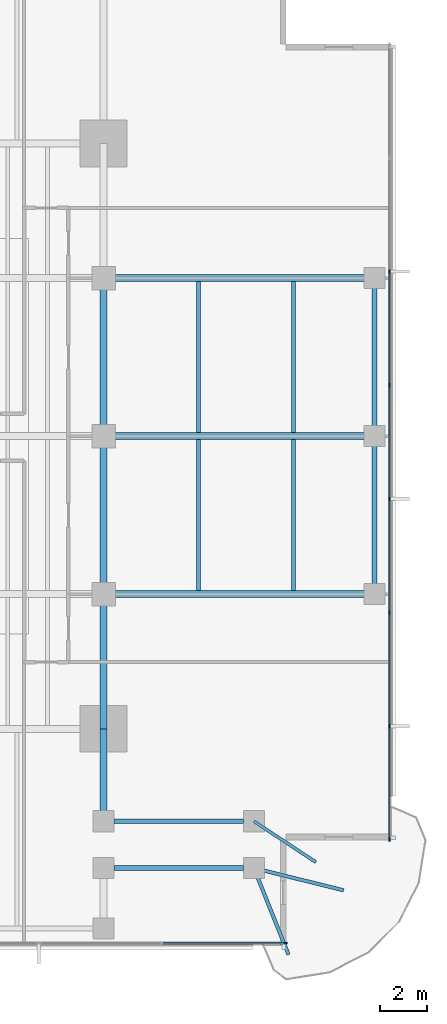
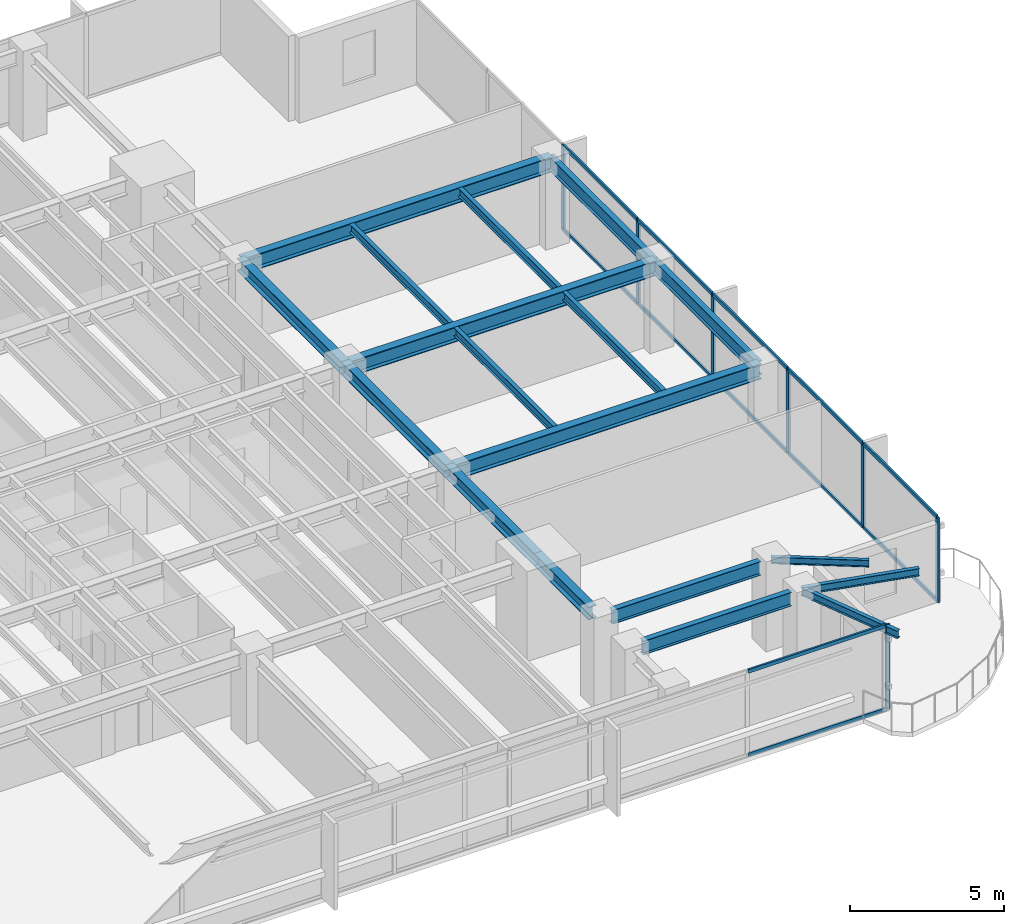
# One storey, part 4 of 14: 19 members, 18 beams, 2 elements without a shape of their own.
"""IFC4 building model written with IfcOpenShell, lengths in metres."""

from ifc_helpers import new_model, si_unit, direction, frame, origin, origin_2d, place, context, subcontext, project, spatial, rectangle, i_section, extrude, material, layer, layer_set, material_profile, profile_set, type_object, element, aggregate, save


model = new_model("IFC4")

# Units and contexts
model_context = context("Model", 3, precision=1e-05, world=origin(), true_north=direction((0.0, 1.0)))
body_context = subcontext(model_context, "Body", "Model", "MODEL_VIEW")
ifc_project = project(units=[si_unit("LENGTHUNIT", "METRE"), si_unit("AREAUNIT", "SQUARE_METRE"), si_unit("VOLUMEUNIT", "CUBIC_METRE"), si_unit("PLANEANGLEUNIT", "RADIAN"), si_unit("MASSUNIT", "GRAM", prefix="KILO")], contexts=[model_context])

# Site, building, storey
site_placement = place(None, origin())
site = spatial("IfcSite", under=ifc_project, at=site_placement, CompositionType="ELEMENT")
building_placement = place(site_placement, origin())
building = spatial("IfcBuilding", under=site, at=building_placement, Name="Kinhvarn Gate Tower", CompositionType="ELEMENT")
storey_placement = place(building_placement, frame((0.0, 0.0, 102.25)))
storey = spatial("IfcBuildingStorey", under=building, at=storey_placement, Name="L26", CompositionType="ELEMENT", Elevation=102.25)

# Curtain wall, member
ifc_material_1 = material(Name="Anodised aluminium AW-6063", Category="aluminium")
ifc_layer = layer(ifc_material_1, 0.179931640625)
ifc_layer_set = layer_set([ifc_layer], Name="Anodised aluminium AW-6063")
curtain_wall_type = type_object("IfcCurtainWallType", Name="CW-SYS-3", PredefinedType="NOTDEFINED", material=ifc_layer_set)
curtain_wall_1_placement = place(storey_placement, origin())
curtain_wall_1 = element("IfcCurtainWall", 1, at=curtain_wall_1_placement, inside=storey, type_object=curtain_wall_type, Name="Curtain Wall CW3 (L26)", PredefinedType="NOTDEFINED")
ifc_material_profile_1 = material_profile(ifc_material_1, rectangle(XDim=0.06494140625, YDim=0.159912109375, at=origin_2d()), Name="ALU 65x160")
ifc_profile_set_1 = profile_set([ifc_material_profile_1], Name="Anodised aluminium AW-6063")
member_type_1 = type_object("IfcMemberType", Name="CW-MUL-160", PredefinedType="MULLION", material=ifc_profile_set_1)
member_1_placement = place(storey_placement, frame((45.967529296875, 3.590087890625, 0.0), z_axis=(0.0, 0.0, 1.0), x_axis=(0.0, 1.0, 0.0)))
member_1 = element("IfcMember", 2, at=member_1_placement, type_object=member_type_1, Name="CW3 mullion 8", PredefinedType="MULLION", context=body_context, shape_type="SweptSolid", body=[
    extrude(rectangle(XDim=0.06494140625, YDim=0.159912109375, at=origin_2d()), origin(), (0.0, 0.0, 1.0), 3.3701171875),
])

# Curtain wall, members
curtain_wall_2_placement = place(storey_placement, origin())
curtain_wall_2 = element("IfcCurtainWall", 3, at=curtain_wall_2_placement, inside=storey, type_object=curtain_wall_type, Name="Curtain Wall CW3 (L26)", PredefinedType="NOTDEFINED")
member_2_placement = place(storey_placement, frame((50.409912109375, 8.032470703125, 0.0), z_axis=(0.0, 0.0, 1.0), x_axis=(-1.0, 0.0, 0.0)))
member_2 = element("IfcMember", 4, at=member_2_placement, type_object=member_type_1, Name="CW3 mullion 1", PredefinedType="MULLION", context=body_context, shape_type="SweptSolid", body=[
    extrude(rectangle(XDim=0.06494140625, YDim=0.159912109375, at=origin_2d()), origin(), (0.0, 0.0, 1.0), 3.3701171875),
])
member_3_placement = place(storey_placement, frame((50.409912109375, 12.857177734375, 0.0), z_axis=(0.0, 0.0, 1.0), x_axis=(-1.0, 0.0, 0.0)))
member_3 = element("IfcMember", 5, at=member_3_placement, type_object=member_type_1, Name="CW3 mullion 2", PredefinedType="MULLION", context=body_context, shape_type="SweptSolid", body=[
    extrude(rectangle(XDim=0.06494140625, YDim=0.159912109375, at=origin_2d()), origin(), (0.0, 0.0, 1.0), 3.3701171875),
])
member_4_placement = place(storey_placement, frame((50.409912109375, 17.71435546875, 0.0), z_axis=(0.0, 0.0, 1.0), x_axis=(-1.0, 0.0, 0.0)))
member_4 = element("IfcMember", 6, at=member_4_placement, type_object=member_type_1, Name="CW3 mullion 3", PredefinedType="MULLION", context=body_context, shape_type="SweptSolid", body=[
    extrude(rectangle(XDim=0.06494140625, YDim=0.159912109375, at=origin_2d()), origin(), (0.0, 0.0, 1.0), 3.3701171875),
])
member_5_placement = place(storey_placement, frame((50.409912109375, 22.571533203125, 0.0), z_axis=(0.0, 0.0, 1.0), x_axis=(-1.0, 0.0, 0.0)))
member_5 = element("IfcMember", 7, at=member_5_placement, type_object=member_type_1, Name="CW3 mullion 4", PredefinedType="MULLION", context=body_context, shape_type="SweptSolid", body=[
    extrude(rectangle(XDim=0.06494140625, YDim=0.159912109375, at=origin_2d()), origin(), (0.0, 0.0, 1.0), 3.3701171875),
])
member_6_placement = place(storey_placement, frame((50.409912109375, 27.428466796875, 0.0), z_axis=(0.0, 0.0, 1.0), x_axis=(-1.0, 0.0, 0.0)))
member_6 = element("IfcMember", 8, at=member_6_placement, type_object=member_type_1, Name="CW3 mullion 5", PredefinedType="MULLION", context=body_context, shape_type="SweptSolid", body=[
    extrude(rectangle(XDim=0.06494140625, YDim=0.159912109375, at=origin_2d()), origin(), (0.0, 0.0, 1.0), 3.3701171875),
])
member_7_placement = place(storey_placement, frame((50.409912109375, 32.28564453125, 0.0), z_axis=(0.0, 0.0, 1.0), x_axis=(-1.0, 0.0, 0.0)))
member_7 = element("IfcMember", 9, at=member_7_placement, type_object=member_type_1, Name="CW3 mullion 6", PredefinedType="MULLION", context=body_context, shape_type="SweptSolid", body=[
    extrude(rectangle(XDim=0.06494140625, YDim=0.159912109375, at=origin_2d()), origin(), (0.0, 0.0, 1.0), 3.3701171875),
])

# Member
ifc_material_profile_2 = material_profile(ifc_material_1, rectangle(XDim=0.070068359375, YDim=0.139892578125, at=origin_2d()), Name="ALU 70x140")
ifc_profile_set_2 = profile_set([ifc_material_profile_2], Name="Anodised aluminium AW-6063")
member_type_2 = type_object("IfcMemberType", Name="CW-TRN-140", PredefinedType="USERDEFINED", material=ifc_profile_set_2)
member_8_placement = place(storey_placement, frame((40.746826171875, 3.590087890625, 0.034912109375), z_axis=(1.0, 0.0, 0.0), x_axis=(0.0, 1.0, 0.0)))
member_8 = element("IfcMember", 10, at=member_8_placement, type_object=member_type_2, Name="CW3 transom 7.1", ObjectType="TRANSOM", PredefinedType="USERDEFINED", context=body_context, shape_type="SweptSolid", body=[
    extrude(rectangle(XDim=0.070068359375, YDim=0.139892578125, at=origin_2d()), origin(), (0.0, 0.0, 1.0), 5.188232421875),
])

member_9_placement = place(storey_placement, frame((40.746826171875, 3.590087890625, 3.3349609375), z_axis=(1.0, 0.0, 0.0), x_axis=(0.0, 1.0, 0.0)))
member_9 = element("IfcMember", 11, at=member_9_placement, type_object=member_type_2, Name="CW3 transom 7.2", ObjectType="TRANSOM", PredefinedType="USERDEFINED", context=body_context, shape_type="SweptSolid", body=[
    extrude(rectangle(XDim=0.070068359375, YDim=0.139892578125, at=origin_2d()), origin(), (0.0, 0.0, 1.0), 5.188232421875),
])

aggregate(curtain_wall_1, [member_1, member_8, member_9])

member_10_placement = place(storey_placement, frame((50.409912109375, 8.06494140625, 0.034912109375), z_axis=(0.0, 1.0, 0.0), x_axis=(-1.0, 0.0, 0.0)))
member_10 = element("IfcMember", 12, at=member_10_placement, type_object=member_type_2, Name="CW3 transom 1.1", ObjectType="TRANSOM", PredefinedType="USERDEFINED", context=body_context, shape_type="SweptSolid", body=[
    extrude(rectangle(XDim=0.070068359375, YDim=0.139892578125, at=origin_2d()), origin(), (0.0, 0.0, 1.0), 4.759765625),
])

member_11_placement = place(storey_placement, frame((50.409912109375, 8.06494140625, 3.3349609375), z_axis=(0.0, 1.0, 0.0), x_axis=(-1.0, 0.0, 0.0)))
member_11 = element("IfcMember", 13, at=member_11_placement, type_object=member_type_2, Name="CW3 transom 1.2", ObjectType="TRANSOM", PredefinedType="USERDEFINED", context=body_context, shape_type="SweptSolid", body=[
    extrude(rectangle(XDim=0.070068359375, YDim=0.139892578125, at=origin_2d()), origin(), (0.0, 0.0, 1.0), 4.759765625),
])

member_12_placement = place(storey_placement, frame((50.409912109375, 12.8896484375, 0.034912109375), z_axis=(0.0, 1.0, 0.0), x_axis=(-1.0, 0.0, 0.0)))
member_12 = element("IfcMember", 14, at=member_12_placement, type_object=member_type_2, Name="CW3 transom 2.1", ObjectType="TRANSOM", PredefinedType="USERDEFINED", context=body_context, shape_type="SweptSolid", body=[
    extrude(rectangle(XDim=0.070068359375, YDim=0.139892578125, at=origin_2d()), origin(), (0.0, 0.0, 1.0), 4.792236328125),
])

member_13_placement = place(storey_placement, frame((50.409912109375, 12.8896484375, 3.3349609375), z_axis=(0.0, 1.0, 0.0), x_axis=(-1.0, 0.0, 0.0)))
member_13 = element("IfcMember", 15, at=member_13_placement, type_object=member_type_2, Name="CW3 transom 2.2", ObjectType="TRANSOM", PredefinedType="USERDEFINED", context=body_context, shape_type="SweptSolid", body=[
    extrude(rectangle(XDim=0.070068359375, YDim=0.139892578125, at=origin_2d()), origin(), (0.0, 0.0, 1.0), 4.792236328125),
])

member_14_placement = place(storey_placement, frame((50.409912109375, 17.746826171875, 0.034912109375), z_axis=(0.0, 1.0, 0.0), x_axis=(-1.0, 0.0, 0.0)))
member_14 = element("IfcMember", 16, at=member_14_placement, type_object=member_type_2, Name="CW3 transom 3.1", ObjectType="TRANSOM", PredefinedType="USERDEFINED", context=body_context, shape_type="SweptSolid", body=[
    extrude(rectangle(XDim=0.070068359375, YDim=0.139892578125, at=origin_2d()), origin(), (0.0, 0.0, 1.0), 4.7919921875),
])

member_15_placement = place(storey_placement, frame((50.409912109375, 17.746826171875, 3.3349609375), z_axis=(0.0, 1.0, 0.0), x_axis=(-1.0, 0.0, 0.0)))
member_15 = element("IfcMember", 17, at=member_15_placement, type_object=member_type_2, Name="CW3 transom 3.2", ObjectType="TRANSOM", PredefinedType="USERDEFINED", context=body_context, shape_type="SweptSolid", body=[
    extrude(rectangle(XDim=0.070068359375, YDim=0.139892578125, at=origin_2d()), origin(), (0.0, 0.0, 1.0), 4.7919921875),
])

member_16_placement = place(storey_placement, frame((50.409912109375, 22.60400390625, 0.034912109375), z_axis=(0.0, 1.0, 0.0), x_axis=(-1.0, 0.0, 0.0)))
member_16 = element("IfcMember", 18, at=member_16_placement, type_object=member_type_2, Name="CW3 transom 4.1", ObjectType="TRANSOM", PredefinedType="USERDEFINED", context=body_context, shape_type="SweptSolid", body=[
    extrude(rectangle(XDim=0.070068359375, YDim=0.139892578125, at=origin_2d()), origin(), (0.0, 0.0, 1.0), 4.7919921875),
])

member_17_placement = place(storey_placement, frame((50.409912109375, 22.60400390625, 3.3349609375), z_axis=(0.0, 1.0, 0.0), x_axis=(-1.0, 0.0, 0.0)))
member_17 = element("IfcMember", 19, at=member_17_placement, type_object=member_type_2, Name="CW3 transom 4.2", ObjectType="TRANSOM", PredefinedType="USERDEFINED", context=body_context, shape_type="SweptSolid", body=[
    extrude(rectangle(XDim=0.070068359375, YDim=0.139892578125, at=origin_2d()), origin(), (0.0, 0.0, 1.0), 4.7919921875),
])

member_18_placement = place(storey_placement, frame((50.409912109375, 27.461181640625, 0.034912109375), z_axis=(0.0, 1.0, 0.0), x_axis=(-1.0, 0.0, 0.0)))
member_18 = element("IfcMember", 20, at=member_18_placement, type_object=member_type_2, Name="CW3 transom 5.1", ObjectType="TRANSOM", PredefinedType="USERDEFINED", context=body_context, shape_type="SweptSolid", body=[
    extrude(rectangle(XDim=0.070068359375, YDim=0.139892578125, at=origin_2d()), origin(), (0.0, 0.0, 1.0), 4.7919921875),
])

member_19_placement = place(storey_placement, frame((50.409912109375, 27.461181640625, 3.3349609375), z_axis=(0.0, 1.0, 0.0), x_axis=(-1.0, 0.0, 0.0)))
member_19 = element("IfcMember", 21, at=member_19_placement, type_object=member_type_2, Name="CW3 transom 5.2", ObjectType="TRANSOM", PredefinedType="USERDEFINED", context=body_context, shape_type="SweptSolid", body=[
    extrude(rectangle(XDim=0.070068359375, YDim=0.139892578125, at=origin_2d()), origin(), (0.0, 0.0, 1.0), 4.7919921875),
])

aggregate(curtain_wall_2, [member_2, member_3, member_4, member_5, member_6, member_7, member_10, member_11, member_12, member_13, member_14, member_15, member_16, member_17, member_18, member_19])

# Beams
ifc_material_2 = material(Name="Steel S355", Category="steel")
ifc_material_profile_3 = material_profile(ifc_material_2, i_section(OverallWidth=0.300048828125, OverallDepth=0.5, WebThickness=0.014404296875, FlangeThickness=0.028076171875, at=origin_2d()), Name="HEB 500")
ifc_profile_set_3 = profile_set([ifc_material_profile_3], Name="Steel S355")
beam_type_1 = type_object("IfcBeamType", Name="STL-HEB500", PredefinedType="BEAM", material=ifc_profile_set_3)
beam_1_placement = place(storey_placement, frame((38.199951171875, 9.235107421875, 3.1201171875), z_axis=(0.0, 1.0, 0.0), x_axis=(-1.0, 0.0, 0.0)))
element("IfcBeam", 22, at=beam_1_placement, inside=storey, type_object=beam_type_1, Name="Floor Beam PG-14 (L26 MCE-S-A2)", PredefinedType="BEAM", context=body_context, shape_type="SweptSolid", body=[
    extrude(i_section(OverallWidth=0.300048828125, OverallDepth=0.5, WebThickness=0.014404296875, FlangeThickness=0.028076171875, at=origin_2d()), origin(), (0.0, 0.0, 1.0), 3.514892578125),
])
beam_2_placement = place(storey_placement, frame((38.199951171875, 12.75, 3.1201171875), z_axis=(0.0, 1.0, 0.0), x_axis=(-1.0, 0.0, 0.0)))
element("IfcBeam", 23, at=beam_2_placement, inside=storey, type_object=beam_type_1, Name="Floor Beam PG-14 (L26 MG-E-12)", PredefinedType="BEAM", context=body_context, shape_type="SweptSolid", body=[
    extrude(i_section(OverallWidth=0.300048828125, OverallDepth=0.5, WebThickness=0.014404296875, FlangeThickness=0.028076171875, at=origin_2d()), origin(), (0.0, 0.0, 1.0), 5.75),
])
for number, where, z_axis, x_axis, name in (
    (24, (38.199951171875, 18.5, 3.1201171875), (0.0, 1.0, 0.0), (-1.0, 0.0, 0.0), "Floor Beam PG-14 (L26 MG-E-18)"),
    (25, (38.199951171875, 25.25, 3.1201171875), (0.0, 1.0, 0.0), (-1.0, 0.0, 0.0), "Floor Beam PG-14 (L26 MG-E-25)"),
):
    element("IfcBeam", number, at=place(storey_placement, frame(where, z_axis=z_axis, x_axis=x_axis)), inside=storey, type_object=beam_type_1, Name=name, PredefinedType="BEAM", context=body_context, shape_type="SweptSolid", body=[
        extrude(i_section(OverallWidth=0.300048828125, OverallDepth=0.5, WebThickness=0.014404296875, FlangeThickness=0.028076171875, at=origin_2d()), origin(), (0.0, 0.0, 1.0), 6.75),
    ])
ifc_material_profile_4 = material_profile(ifc_material_2, i_section(OverallWidth=0.300048828125, OverallDepth=0.60009765625, WebThickness=0.015380859375, FlangeThickness=0.030029296875, at=origin_2d()), Name="HEB 600")
ifc_profile_set_4 = profile_set([ifc_material_profile_4], Name="Steel S355")
beam_type_2 = type_object("IfcBeamType", Name="STL-HEB600", PredefinedType="BEAM", material=ifc_profile_set_4)
for number, where, z_axis, x_axis, name in (
    (26, (38.199951171875, 18.5, 3.070068359375), (1.0, 0.0, 0.0), (0.0, 1.0, 0.0), "Floor Beam PG-16 (L26 EW2-Y18)"),
    (27, (38.199951171875, 25.25, 3.070068359375), (1.0, 0.0, 0.0), (0.0, 1.0, 0.0), "Floor Beam PG-16 (L26 EW2-Y25)"),
    (28, (38.199951171875, 32.0, 3.070068359375), (1.0, 0.0, 0.0), (0.0, 1.0, 0.0), "Floor Beam PG-16 (L26 EW2-Y32)"),
):
    element("IfcBeam", number, at=place(storey_placement, frame(where, z_axis=z_axis, x_axis=x_axis)), inside=storey, type_object=beam_type_2, Name=name, PredefinedType="BEAM", context=body_context, shape_type="SweptSolid", body=[
        extrude(i_section(OverallWidth=0.300048828125, OverallDepth=0.60009765625, WebThickness=0.015380859375, FlangeThickness=0.030029296875, at=origin_2d()), origin(), (0.0, 0.0, 1.0), 11.580078125),
    ])
ifc_material_profile_5 = material_profile(ifc_material_2, i_section(OverallWidth=0.135009765625, OverallDepth=0.27001953125, WebThickness=0.006591796875, FlangeThickness=0.01025390625, at=origin_2d()), Name="IPE 270")
ifc_profile_set_5 = profile_set([ifc_material_profile_5], Name="Steel S355")
beam_type_3 = type_object("IfcBeamType", Name="STL-IPE270", PredefinedType="JOIST", material=ifc_profile_set_5)
beam_3_placement = place(storey_placement, frame((44.6201171875, 8.800048828125, 3.235107421875), z_axis=(0.834455271211, -0.5510756757, 0.0), x_axis=(0.5510756757, 0.834455271211, 0.0)))
element("IfcBeam", 29, at=beam_3_placement, inside=storey, type_object=beam_type_3, Name="Floor Joist SB-01 (L26 BAL-B3-L27)", PredefinedType="JOIST", context=body_context, shape_type="SweptSolid", body=[
    extrude(i_section(OverallWidth=0.135009765625, OverallDepth=0.27001953125, WebThickness=0.006591796875, FlangeThickness=0.01025390625, at=origin_2d()), origin(), (0.0, 0.0, 1.0), 3.175537109375),
])
ifc_material_profile_6 = material_profile(ifc_material_2, i_section(OverallWidth=0.14990234375, OverallDepth=0.300048828125, WebThickness=0.007080078125, FlangeThickness=0.0107421875, at=origin_2d()), Name="IPE 300")
ifc_profile_set_6 = profile_set([ifc_material_profile_6], Name="Steel S355")
beam_type_4 = type_object("IfcBeamType", Name="STL-IPE300", PredefinedType="JOIST", material=ifc_profile_set_6)
beam_4_placement = place(storey_placement, frame((44.6201171875, 6.800048828125, 3.219970703125), z_axis=(0.97058851083, -0.240744558911, 0.0), x_axis=(0.240744558911, 0.97058851083, 0.0)))
element("IfcBeam", 30, at=beam_4_placement, inside=storey, type_object=beam_type_4, Name="Floor Joist SB-02 (L26 BAL-B1-L27)", PredefinedType="JOIST", context=body_context, shape_type="SweptSolid", body=[
    extrude(i_section(OverallWidth=0.14990234375, OverallDepth=0.300048828125, WebThickness=0.007080078125, FlangeThickness=0.0107421875, at=origin_2d()), origin(), (0.0, 0.0, 1.0), 3.94580078125),
])
beam_5_placement = place(storey_placement, frame((44.6201171875, 6.800048828125, 3.219970703125), z_axis=(0.371390676354, -0.928476690885, 0.0), x_axis=(0.928476690885, 0.371390676354, 0.0)))
element("IfcBeam", 31, at=beam_5_placement, inside=storey, type_object=beam_type_4, Name="Floor Joist SB-02 (L26 BAL-B2-L27)", PredefinedType="JOIST", context=body_context, shape_type="SweptSolid", body=[
    extrude(i_section(OverallWidth=0.14990234375, OverallDepth=0.300048828125, WebThickness=0.007080078125, FlangeThickness=0.0107421875, at=origin_2d()), origin(), (0.0, 0.0, 1.0), 3.98486328125),
])
ifc_material_profile_7 = material_profile(ifc_material_2, i_section(OverallWidth=0.159912109375, OverallDepth=0.330078125, WebThickness=0.007568359375, FlangeThickness=0.011474609375, at=origin_2d()), Name="IPE 330")
ifc_profile_set_7 = profile_set([ifc_material_profile_7], Name="Steel S355")
beam_type_5 = type_object("IfcBeamType", Name="STL-IPE330", PredefinedType="JOIST", material=ifc_profile_set_7)
for number, where, z_axis, x_axis, name in (
    (32, (42.25, 18.64990234375, 3.205078125), (0.0, 1.0, 0.0), (-1.0, 0.0, 0.0), "Floor Joist SB-03 (L26 JC-X422-1)"),
    (33, (42.25, 25.39990234375, 3.205078125), (0.0, 1.0, 0.0), (-1.0, 0.0, 0.0), "Floor Joist SB-03 (L26 JC-X422-2)"),
    (34, (46.31005859375, 18.64990234375, 3.205078125), (0.0, 1.0, 0.0), (-1.0, 0.0, 0.0), "Floor Joist SB-03 (L26 JC-X463-1)"),
    (35, (46.31005859375, 25.39990234375, 3.205078125), (0.0, 1.0, 0.0), (-1.0, 0.0, 0.0), "Floor Joist SB-03 (L26 JC-X463-2)"),
):
    element("IfcBeam", number, at=place(storey_placement, frame(where, z_axis=z_axis, x_axis=x_axis)), inside=storey, type_object=beam_type_5, Name=name, PredefinedType="JOIST", context=body_context, shape_type="SweptSolid", body=[
        extrude(i_section(OverallWidth=0.159912109375, OverallDepth=0.330078125, WebThickness=0.007568359375, FlangeThickness=0.011474609375, at=origin_2d()), origin(), (0.0, 0.0, 1.0), 6.4501953125),
    ])
ifc_material_profile_8 = material_profile(ifc_material_2, i_section(OverallWidth=0.2099609375, OverallDepth=0.550048828125, WebThickness=0.010986328125, FlangeThickness=0.01708984375, at=origin_2d()), Name="IPE 550")
ifc_profile_set_8 = profile_set([ifc_material_profile_8], Name="Steel S355")
beam_type_6 = type_object("IfcBeamType", Name="STL-IPE550", PredefinedType="SPANDREL", material=ifc_profile_set_8)
for number, where, z_axis, x_axis, name in (
    (36, (38.635009765625, 8.800048828125, 3.094970703125), (1.0, 0.0, 0.0), (0.0, 1.0, 0.0), "Floor Spandrel SB-08 (L26 SP-SE2)"),
    (37, (38.635009765625, 6.800048828125, 3.094970703125), (1.0, 0.0, 0.0), (0.0, 1.0, 0.0), "Floor Spandrel SB-08 (L26 SP-SE2-S)"),
):
    element("IfcBeam", number, at=place(storey_placement, frame(where, z_axis=z_axis, x_axis=x_axis)), inside=storey, type_object=beam_type_6, Name=name, PredefinedType="SPANDREL", context=body_context, shape_type="SweptSolid", body=[
        extrude(i_section(OverallWidth=0.2099609375, OverallDepth=0.550048828125, WebThickness=0.010986328125, FlangeThickness=0.01708984375, at=origin_2d()), origin(), (0.0, 0.0, 1.0), 5.550048828125),
    ])
for number, where, z_axis, x_axis, name in (
    (38, (49.780029296875, 18.5, 3.094970703125), (0.0, 1.0, 0.0), (-1.0, 0.0, 0.0), "Floor Spandrel SB-08 (L26 SP-E2)"),
    (39, (49.780029296875, 25.25, 3.094970703125), (0.0, 1.0, 0.0), (-1.0, 0.0, 0.0), "Floor Spandrel SB-08 (L26 SP-E3)"),
):
    element("IfcBeam", number, at=place(storey_placement, frame(where, z_axis=z_axis, x_axis=x_axis)), inside=storey, type_object=beam_type_6, Name=name, PredefinedType="SPANDREL", context=body_context, shape_type="SweptSolid", body=[
        extrude(i_section(OverallWidth=0.2099609375, OverallDepth=0.550048828125, WebThickness=0.010986328125, FlangeThickness=0.01708984375, at=origin_2d()), origin(), (0.0, 0.0, 1.0), 6.75),
    ])

save(model, "model.ifc")
